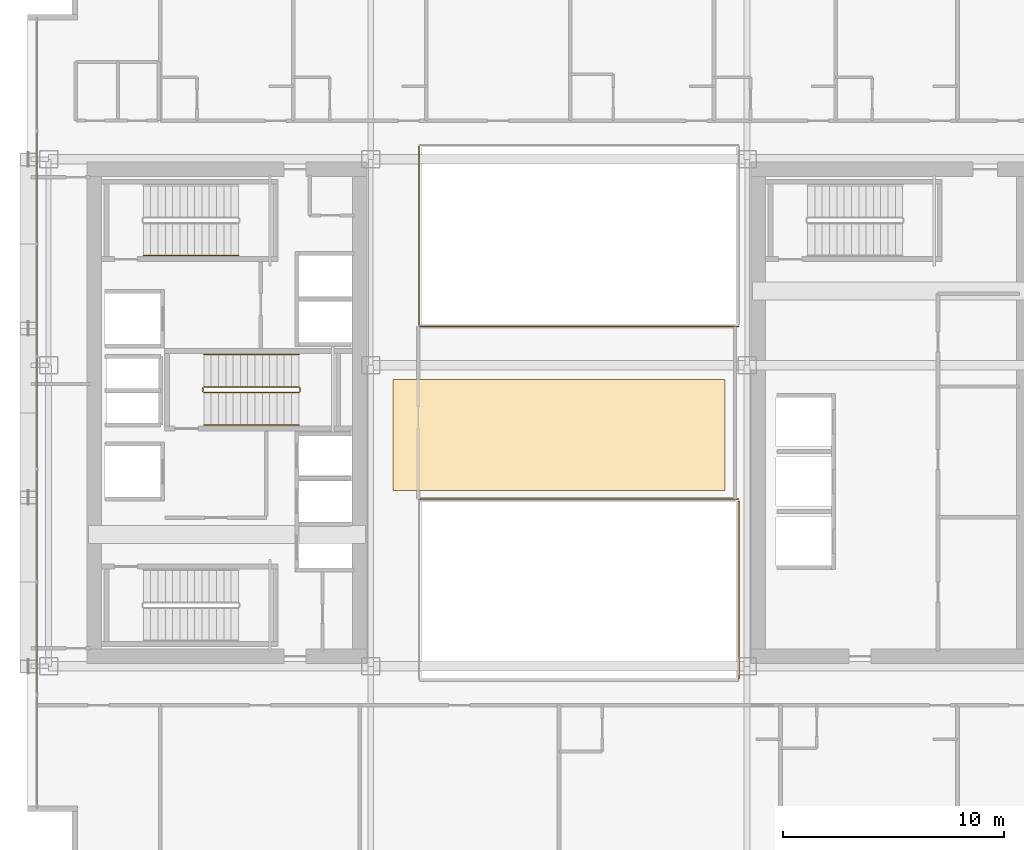
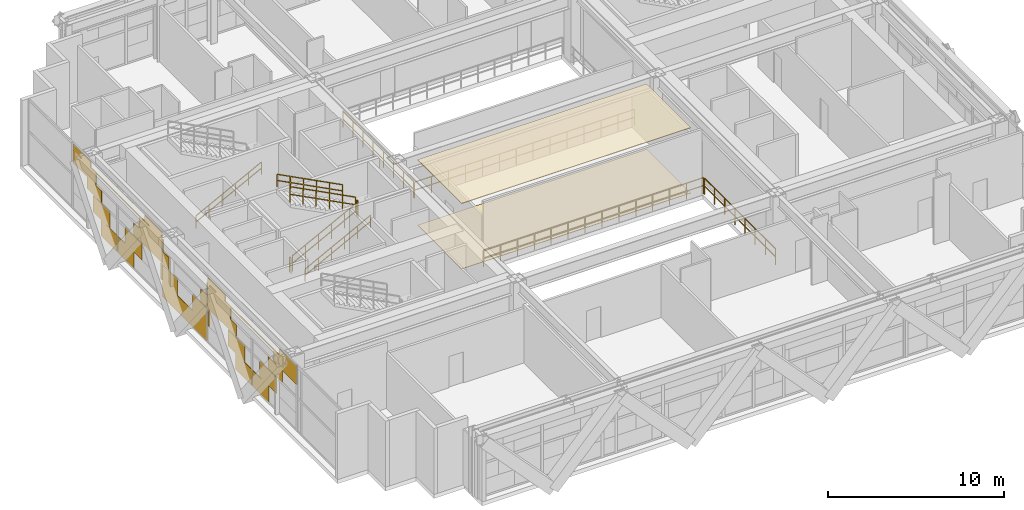
# One storey, part 36 of 38: 11 railings, 3 coverings.
"""IFC4 building model written with IfcOpenShell, lengths in metres."""

from ifc_helpers import new_model, si_unit, direction, frame, origin, origin_2d, place, context, subcontext, project, spatial, polyline, rectangle, outline, extrude, material, layer, layer_set, type_object, element, save


model = new_model("IFC4")

# Units and contexts
model_context = context("Model", 3, precision=1e-05, world=origin(), true_north=direction((0.0, 1.0)))
body_context = subcontext(model_context, "Body", "Model", "MODEL_VIEW")
ifc_project = project(units=[si_unit("LENGTHUNIT", "METRE"), si_unit("AREAUNIT", "SQUARE_METRE"), si_unit("VOLUMEUNIT", "CUBIC_METRE"), si_unit("PLANEANGLEUNIT", "RADIAN"), si_unit("MASSUNIT", "GRAM", prefix="KILO")], contexts=[model_context])

# Site, building, storey
site_placement = place(None, origin())
site = spatial("IfcSite", under=ifc_project, at=site_placement, CompositionType="ELEMENT")
building_placement = place(site_placement, origin())
building = spatial("IfcBuilding", under=site, at=building_placement, Name="Ocotamira Hotel", CompositionType="ELEMENT")
storey_placement = place(building_placement, frame((0.0, 0.0, 92.39990234375)))
storey = spatial("IfcBuildingStorey", under=building, at=storey_placement, Name="L22", CompositionType="ELEMENT", Elevation=92.39990234375)

# Coverings
ifc_material_1 = material(Name="Baffled acoustic wood-slat and gypsum ceiling", Category="wood")
ifc_layer_1 = layer(ifc_material_1, 0.0400390625)
ifc_layer_set_1 = layer_set([ifc_layer_1], Name="Baffled acoustic wood-slat and gypsum ceiling")
covering_type_1 = type_object("IfcCoveringType", Name="COV-CEIL-40", PredefinedType="CEILING", material=ifc_layer_set_1)
covering_1_placement = place(storey_placement, frame((0.0, 0.0, 4.52001953125)))
element("IfcCovering", 1, at=covering_1_placement, inside=storey, type_object=covering_type_1, Name="L22 Acoustic Ceiling", PredefinedType="CEILING", context=body_context, shape_type="SweptSolid", body=[
    extrude(outline(polyline([(24.5, 22.5), (39.5, 22.5), (39.5, 27.5), (24.5, 27.5), (24.5, 22.5)])), origin(), (0.0, 0.0, 1.0), 0.0400390625),
])
ifc_material_2 = material(Name="Honed desert travertine stone flooring", Category="masonry")
ifc_layer_2 = layer(ifc_material_2, 0.030029296875)
ifc_layer_set_2 = layer_set([ifc_layer_2], Name="Honed desert travertine stone flooring")
covering_type_2 = type_object("IfcCoveringType", Name="COV-FLOR-30", PredefinedType="FLOORING", material=ifc_layer_set_2)
covering_2_placement = place(storey_placement, origin())
element("IfcCovering", 2, at=covering_2_placement, inside=storey, type_object=covering_type_2, Name="L22 Honed Stone Floor Finish", PredefinedType="FLOORING", context=body_context, shape_type="SweptSolid", body=[
    extrude(outline(polyline([(24.5, 22.5), (39.5, 22.5), (39.5, 27.5), (24.5, 27.5), (24.5, 22.5)])), origin(), (0.0, 0.0, 1.0), 0.030029296875),
])
ifc_material_3 = material(Name="Insulated pale-metal aluminium spandrel panel", Category="aluminium")
ifc_layer_3 = layer(ifc_material_3, 0.044921875)
ifc_layer_set_3 = layer_set([ifc_layer_3], Name="Insulated pale-metal aluminium spandrel panel")
covering_type_3 = type_object("IfcCoveringType", Name="COV-INFILL-45", PredefinedType="CLADDING", material=ifc_layer_set_3)
covering_3_placement = place(storey_placement, origin())
element("IfcCovering", 3, at=covering_3_placement, inside=storey, type_object=covering_type_3, Name="L22 Curtain Wall Infill CW-5 CW-L22-W", PredefinedType="CLADDING", context=body_context, shape_type="SweptSolid", body=[
    extrude(rectangle(XDim=1.89990234375, YDim=0.044921875, at=origin_2d()), frame((8.419921875, 16.566162109375, 1.1943359375), z_axis=(0.0, 0.0, 1.0), x_axis=(0.0, 1.0, 0.0)), (0.0, 0.0, 1.0), 1.117919921875),
    extrude(rectangle(XDim=1.83251953125, YDim=0.044921875, at=origin_2d()), frame((8.419921875, 17.414794921875, 0.07568359375), z_axis=(0.0, 0.0, 1.0), x_axis=(0.0, 1.0, 0.0)), (0.0, 0.0, 1.0), 1.117919921875),
    extrude(rectangle(XDim=2.6123046875, YDim=0.044921875, at=origin_2d()), frame((8.419921875, 14.63232421875, 3.1953125), z_axis=(0.0, 0.0, 1.0), x_axis=(0.0, 1.0, 0.0)), (0.0, 0.0, 1.0), 0.80615234375),
    extrude(rectangle(XDim=5.004638671875, YDim=0.044921875, at=origin_2d()), frame((8.419921875, 15.82861328125, 4.00244140625), z_axis=(0.0, 0.0, 1.0), x_axis=(0.0, 1.0, 0.0)), (0.0, 0.0, 1.0), 0.0791015625),
    extrude(rectangle(XDim=1.99169921875, YDim=0.044921875, at=origin_2d()), frame((8.419921875, 14.322021484375, 4.08251953125), z_axis=(0.0, 0.0, 1.0), x_axis=(0.0, 1.0, 0.0)), (0.0, 0.0, 1.0), 0.402099609375),
    extrude(rectangle(XDim=1.654296875, YDim=0.044921875, at=origin_2d()), frame((8.419921875, 15.747802734375, 2.38818359375), z_axis=(0.0, 0.0, 1.0), x_axis=(0.0, 1.0, 0.0)), (0.0, 0.0, 1.0), 0.80615234375),
    extrude(rectangle(XDim=1.822998046875, YDim=0.044921875, at=origin_2d()), frame((8.419921875, 19.323486328125, 0.07568359375), z_axis=(0.0, 0.0, 1.0), x_axis=(0.0, 1.0, 0.0)), (0.0, 0.0, 1.0), 1.117919921875),
    extrude(rectangle(XDim=1.89990234375, YDim=0.044921875, at=origin_2d()), frame((8.419921875, 20.1669921875, 1.1943359375), z_axis=(0.0, 0.0, 1.0), x_axis=(0.0, 1.0, 0.0)), (0.0, 0.0, 1.0), 1.117919921875),
    extrude(rectangle(XDim=0.1669921875, YDim=0.044921875, at=origin_2d()), frame((8.419921875, 23.3330078125, 1.1943359375), z_axis=(0.0, 0.0, 1.0), x_axis=(0.0, 1.0, 0.0)), (0.0, 0.0, 1.0), 1.117919921875),
    extrude(rectangle(XDim=5.004638671875, YDim=0.044921875, at=origin_2d()), frame((8.419921875, 20.914306640625, 4.00244140625), z_axis=(0.0, 0.0, 1.0), x_axis=(0.0, 1.0, 0.0)), (0.0, 0.0, 1.0), 0.0791015625),
    extrude(rectangle(XDim=3.25830078125, YDim=0.044921875, at=origin_2d()), frame((8.419921875, 21.78759765625, 2.38818359375), z_axis=(0.0, 0.0, 1.0), x_axis=(0.0, 1.0, 0.0)), (0.0, 0.0, 1.0), 0.80615234375),
    extrude(rectangle(XDim=2.621826171875, YDim=0.044921875, at=origin_2d()), frame((8.419921875, 22.105712890625, 3.1953125), z_axis=(0.0, 0.0, 1.0), x_axis=(0.0, 1.0, 0.0)), (0.0, 0.0, 1.0), 0.80615234375),
    extrude(rectangle(XDim=2.001220703125, YDim=0.044921875, at=origin_2d()), frame((8.419921875, 22.416015625, 4.08251953125), z_axis=(0.0, 0.0, 1.0), x_axis=(0.0, 1.0, 0.0)), (0.0, 0.0, 1.0), 0.402099609375),
    extrude(rectangle(XDim=5.004638671875, YDim=0.044921875, at=origin_2d()), frame((8.419921875, 26.0, 0.07568359375), z_axis=(0.0, 0.0, 1.0), x_axis=(0.0, 1.0, 0.0)), (0.0, 0.0, 1.0), 1.117919921875),
    extrude(rectangle(XDim=1.652099609375, YDim=0.044921875, at=origin_2d()), frame((8.419921875, 24.323486328125, 1.1943359375), z_axis=(0.0, 0.0, 1.0), x_axis=(0.0, 1.0, 0.0)), (0.0, 0.0, 1.0), 1.117919921875),
    extrude(rectangle(XDim=1.652099609375, YDim=0.044921875, at=origin_2d()), frame((8.419921875, 27.676513671875, 1.1943359375), z_axis=(0.0, 0.0, 1.0), x_axis=(0.0, 1.0, 0.0)), (0.0, 0.0, 1.0), 1.117919921875),
    extrude(rectangle(XDim=0.710693359375, YDim=0.044921875, at=origin_2d()), frame((8.419921875, 23.852783203125, 2.38818359375), z_axis=(0.0, 0.0, 1.0), x_axis=(0.0, 1.0, 0.0)), (0.0, 0.0, 1.0), 0.84619140625),
    extrude(rectangle(XDim=0.04248046875, YDim=0.044921875, at=origin_2d()), frame((8.419921875, 23.518798828125, 3.2353515625), z_axis=(0.0, 0.0, 1.0), x_axis=(0.0, 1.0, 0.0)), (0.0, 0.0, 1.0), 0.84619140625),
    extrude(rectangle(XDim=0.710693359375, YDim=0.044921875, at=origin_2d()), frame((8.419921875, 28.147216796875, 2.38818359375), z_axis=(0.0, 0.0, 1.0), x_axis=(0.0, 1.0, 0.0)), (0.0, 0.0, 1.0), 0.84619140625),
    extrude(rectangle(XDim=0.04248046875, YDim=0.044921875, at=origin_2d()), frame((8.419921875, 28.481201171875, 3.2353515625), z_axis=(0.0, 0.0, 1.0), x_axis=(0.0, 1.0, 0.0)), (0.0, 0.0, 1.0), 0.84619140625),
    extrude(rectangle(XDim=0.1669921875, YDim=0.044921875, at=origin_2d()), frame((8.419921875, 28.6669921875, 1.1943359375), z_axis=(0.0, 0.0, 1.0), x_axis=(0.0, 1.0, 0.0)), (0.0, 0.0, 1.0), 1.117919921875),
    extrude(rectangle(XDim=1.89990234375, YDim=0.044921875, at=origin_2d()), frame((8.419921875, 31.8330078125, 1.1943359375), z_axis=(0.0, 0.0, 1.0), x_axis=(0.0, 1.0, 0.0)), (0.0, 0.0, 1.0), 1.117919921875),
    extrude(rectangle(XDim=1.822998046875, YDim=0.044921875, at=origin_2d()), frame((8.419921875, 32.676513671875, 0.07568359375), z_axis=(0.0, 0.0, 1.0), x_axis=(0.0, 1.0, 0.0)), (0.0, 0.0, 1.0), 1.117919921875),
    extrude(rectangle(XDim=3.25830078125, YDim=0.044921875, at=origin_2d()), frame((8.419921875, 30.21240234375, 2.38818359375), z_axis=(0.0, 0.0, 1.0), x_axis=(0.0, 1.0, 0.0)), (0.0, 0.0, 1.0), 0.80615234375),
    extrude(rectangle(XDim=2.621826171875, YDim=0.044921875, at=origin_2d()), frame((8.419921875, 29.894287109375, 3.1953125), z_axis=(0.0, 0.0, 1.0), x_axis=(0.0, 1.0, 0.0)), (0.0, 0.0, 1.0), 0.80615234375),
    extrude(rectangle(XDim=5.004638671875, YDim=0.044921875, at=origin_2d()), frame((8.419921875, 31.085693359375, 4.00244140625), z_axis=(0.0, 0.0, 1.0), x_axis=(0.0, 1.0, 0.0)), (0.0, 0.0, 1.0), 0.0791015625),
    extrude(rectangle(XDim=2.001220703125, YDim=0.044921875, at=origin_2d()), frame((8.419921875, 29.583984375, 4.08251953125), z_axis=(0.0, 0.0, 1.0), x_axis=(0.0, 1.0, 0.0)), (0.0, 0.0, 1.0), 0.402099609375),
    extrude(rectangle(XDim=1.83251953125, YDim=0.044921875, at=origin_2d()), frame((8.419921875, 34.585205078125, 0.07568359375), z_axis=(0.0, 0.0, 1.0), x_axis=(0.0, 1.0, 0.0)), (0.0, 0.0, 1.0), 1.117919921875),
    extrude(rectangle(XDim=1.89990234375, YDim=0.044921875, at=origin_2d()), frame((8.419921875, 35.433837890625, 1.1943359375), z_axis=(0.0, 0.0, 1.0), x_axis=(0.0, 1.0, 0.0)), (0.0, 0.0, 1.0), 1.117919921875),
    extrude(rectangle(XDim=5.004638671875, YDim=0.044921875, at=origin_2d()), frame((8.419921875, 36.17138671875, 4.00244140625), z_axis=(0.0, 0.0, 1.0), x_axis=(0.0, 1.0, 0.0)), (0.0, 0.0, 1.0), 0.0791015625),
    extrude(rectangle(XDim=1.654296875, YDim=0.044921875, at=origin_2d()), frame((8.419921875, 36.252197265625, 2.38818359375), z_axis=(0.0, 0.0, 1.0), x_axis=(0.0, 1.0, 0.0)), (0.0, 0.0, 1.0), 0.80615234375),
    extrude(rectangle(XDim=2.6123046875, YDim=0.044921875, at=origin_2d()), frame((8.419921875, 37.36767578125, 3.1953125), z_axis=(0.0, 0.0, 1.0), x_axis=(0.0, 1.0, 0.0)), (0.0, 0.0, 1.0), 0.80615234375),
    extrude(rectangle(XDim=1.99169921875, YDim=0.044921875, at=origin_2d()), frame((8.419921875, 37.677978515625, 4.08251953125), z_axis=(0.0, 0.0, 1.0), x_axis=(0.0, 1.0, 0.0)), (0.0, 0.0, 1.0), 0.402099609375),
])

# Railings
ifc_material_4 = material(Name="Painted steel stair guardrail", Category="steel")
railing_type_1 = type_object("IfcRailingType", Name="RL-EDGE-1150", PredefinedType="GUARDRAIL", material=ifc_material_4)
railing_1_placement = place(storey_placement, frame((40.1201171875, 13.97998046875, 0.0)))
element("IfcRailing", 4, at=railing_1_placement, inside=storey, type_object=railing_type_1, Name="L22 Atrium Bridge Lightwell Guard S E", PredefinedType="GUARDRAIL", context=body_context, shape_type="SweptSolid", body=[
    extrude(rectangle(XDim=0.048095703125, YDim=0.048095703125, at=origin_2d()), frame((0.0, 0.0, 1.1259765625), z_axis=(0.0, 1.0, 0.0), x_axis=(-1.0, 0.0, 0.0)), (0.0, 0.0, 1.0), 8.0400390625),
    extrude(rectangle(XDim=0.048095703125, YDim=0.048095703125, at=origin_2d()), frame((0.0, 0.0, 0.574951171875), z_axis=(0.0, 1.0, 0.0), x_axis=(-1.0, 0.0, 0.0)), (0.0, 0.0, 1.0), 8.0400390625),
    extrude(rectangle(XDim=0.0419921875, YDim=0.0419921875, at=origin_2d()), origin(), (0.0, 0.0, 1.0), 1.101806640625),
    extrude(rectangle(XDim=0.0419921875, YDim=0.0419921875, at=origin_2d()), frame((0.0, 1.148681640625, 0.0)), (0.0, 0.0, 1.0), 1.101806640625),
    extrude(rectangle(XDim=0.0419921875, YDim=0.0419921875, at=origin_2d()), frame((0.0, 2.297119140625, 0.0)), (0.0, 0.0, 1.0), 1.101806640625),
    extrude(rectangle(XDim=0.0419921875, YDim=0.0419921875, at=origin_2d()), frame((0.0, 3.44580078125, 0.0)), (0.0, 0.0, 1.0), 1.101806640625),
    extrude(rectangle(XDim=0.0419921875, YDim=0.0419921875, at=origin_2d()), frame((0.0, 4.59423828125, 0.0)), (0.0, 0.0, 1.0), 1.101806640625),
    extrude(rectangle(XDim=0.0419921875, YDim=0.0419921875, at=origin_2d()), frame((0.0, 5.742919921875, 0.0)), (0.0, 0.0, 1.0), 1.101806640625),
    extrude(rectangle(XDim=0.0419921875, YDim=0.0419921875, at=origin_2d()), frame((0.0, 6.891357421875, 0.0)), (0.0, 0.0, 1.0), 1.101806640625),
    extrude(rectangle(XDim=0.0419921875, YDim=0.0419921875, at=origin_2d()), frame((0.0, 8.0400390625, 0.0)), (0.0, 0.0, 1.0), 1.101806640625),
])
railing_2_placement = place(storey_placement, frame((40.10009765625, 22.10009765625, 0.0)))
element("IfcRailing", 5, at=railing_2_placement, inside=storey, type_object=railing_type_1, Name="L22 Atrium Bridge Lightwell Guard S N", PredefinedType="GUARDRAIL", context=body_context, shape_type="SweptSolid", body=[
    extrude(rectangle(XDim=0.048095703125, YDim=0.048095703125, at=origin_2d()), frame((0.0, 0.0, 1.1259765625), z_axis=(-1.0, 0.0, 0.0), x_axis=(0.0, -1.0, 0.0)), (0.0, 0.0, 1.0), 14.400146484375),
    extrude(rectangle(XDim=0.048095703125, YDim=0.048095703125, at=origin_2d()), frame((0.0, 0.0, 0.574951171875), z_axis=(-1.0, 0.0, 0.0), x_axis=(0.0, -1.0, 0.0)), (0.0, 0.0, 1.0), 14.400146484375),
    extrude(rectangle(XDim=0.0419921875, YDim=0.0419921875, at=origin_2d()), origin(), (0.0, 0.0, 1.0), 1.101806640625),
    extrude(rectangle(XDim=0.0419921875, YDim=0.0419921875, at=origin_2d()), frame((-1.107666015625, 0.0, 0.0)), (0.0, 0.0, 1.0), 1.101806640625),
    extrude(rectangle(XDim=0.0419921875, YDim=0.0419921875, at=origin_2d()), frame((-2.21533203125, 0.0, 0.0)), (0.0, 0.0, 1.0), 1.101806640625),
    extrude(rectangle(XDim=0.0419921875, YDim=0.0419921875, at=origin_2d()), frame((-3.322998046875, 0.0, 0.0)), (0.0, 0.0, 1.0), 1.101806640625),
    extrude(rectangle(XDim=0.0419921875, YDim=0.0419921875, at=origin_2d()), frame((-4.430908203125, 0.0, 0.0)), (0.0, 0.0, 1.0), 1.101806640625),
    extrude(rectangle(XDim=0.0419921875, YDim=0.0419921875, at=origin_2d()), frame((-5.53857421875, 0.0, 0.0)), (0.0, 0.0, 1.0), 1.101806640625),
    extrude(rectangle(XDim=0.0419921875, YDim=0.0419921875, at=origin_2d()), frame((-6.646240234375, 0.0, 0.0)), (0.0, 0.0, 1.0), 1.101806640625),
    extrude(rectangle(XDim=0.0419921875, YDim=0.0419921875, at=origin_2d()), frame((-7.75390625, 0.0, 0.0)), (0.0, 0.0, 1.0), 1.101806640625),
    extrude(rectangle(XDim=0.0419921875, YDim=0.0419921875, at=origin_2d()), frame((-8.861572265625, 0.0, 0.0)), (0.0, 0.0, 1.0), 1.101806640625),
    extrude(rectangle(XDim=0.0419921875, YDim=0.0419921875, at=origin_2d()), frame((-9.96923828125, 0.0, 0.0)), (0.0, 0.0, 1.0), 1.101806640625),
    extrude(rectangle(XDim=0.0419921875, YDim=0.0419921875, at=origin_2d()), frame((-11.0771484375, 0.0, 0.0)), (0.0, 0.0, 1.0), 1.101806640625),
    extrude(rectangle(XDim=0.0419921875, YDim=0.0419921875, at=origin_2d()), frame((-12.184814453125, 0.0, 0.0)), (0.0, 0.0, 1.0), 1.101806640625),
    extrude(rectangle(XDim=0.0419921875, YDim=0.0419921875, at=origin_2d()), frame((-13.29248046875, 0.0, 0.0)), (0.0, 0.0, 1.0), 1.101806640625),
    extrude(rectangle(XDim=0.0419921875, YDim=0.0419921875, at=origin_2d()), frame((-14.400146484375, 0.0, 0.0)), (0.0, 0.0, 1.0), 1.101806640625),
])
railing_3_placement = place(storey_placement, frame((25.699951171875, 29.89990234375, 0.0)))
element("IfcRailing", 6, at=railing_3_placement, inside=storey, type_object=railing_type_1, Name="L22 Atrium Bridge Lightwell Guard N S", PredefinedType="GUARDRAIL", context=body_context, shape_type="SweptSolid", body=[
    extrude(rectangle(XDim=0.048095703125, YDim=0.048095703125, at=origin_2d()), frame((0.0, 0.0, 1.1259765625), z_axis=(1.0, 0.0, 0.0), x_axis=(0.0, 1.0, 0.0)), (0.0, 0.0, 1.0), 14.400146484375),
    extrude(rectangle(XDim=0.048095703125, YDim=0.048095703125, at=origin_2d()), frame((0.0, 0.0, 0.574951171875), z_axis=(1.0, 0.0, 0.0), x_axis=(0.0, 1.0, 0.0)), (0.0, 0.0, 1.0), 14.400146484375),
    extrude(rectangle(XDim=0.0419921875, YDim=0.0419921875, at=origin_2d()), origin(), (0.0, 0.0, 1.0), 1.101806640625),
    extrude(rectangle(XDim=0.0419921875, YDim=0.0419921875, at=origin_2d()), frame((1.107666015625, 0.0, 0.0)), (0.0, 0.0, 1.0), 1.101806640625),
    extrude(rectangle(XDim=0.0419921875, YDim=0.0419921875, at=origin_2d()), frame((2.21533203125, 0.0, 0.0)), (0.0, 0.0, 1.0), 1.101806640625),
    extrude(rectangle(XDim=0.0419921875, YDim=0.0419921875, at=origin_2d()), frame((3.322998046875, 0.0, 0.0)), (0.0, 0.0, 1.0), 1.101806640625),
    extrude(rectangle(XDim=0.0419921875, YDim=0.0419921875, at=origin_2d()), frame((4.430908203125, 0.0, 0.0)), (0.0, 0.0, 1.0), 1.101806640625),
    extrude(rectangle(XDim=0.0419921875, YDim=0.0419921875, at=origin_2d()), frame((5.53857421875, 0.0, 0.0)), (0.0, 0.0, 1.0), 1.101806640625),
    extrude(rectangle(XDim=0.0419921875, YDim=0.0419921875, at=origin_2d()), frame((6.646240234375, 0.0, 0.0)), (0.0, 0.0, 1.0), 1.101806640625),
    extrude(rectangle(XDim=0.0419921875, YDim=0.0419921875, at=origin_2d()), frame((7.75390625, 0.0, 0.0)), (0.0, 0.0, 1.0), 1.101806640625),
    extrude(rectangle(XDim=0.0419921875, YDim=0.0419921875, at=origin_2d()), frame((8.861572265625, 0.0, 0.0)), (0.0, 0.0, 1.0), 1.101806640625),
    extrude(rectangle(XDim=0.0419921875, YDim=0.0419921875, at=origin_2d()), frame((9.96923828125, 0.0, 0.0)), (0.0, 0.0, 1.0), 1.101806640625),
    extrude(rectangle(XDim=0.0419921875, YDim=0.0419921875, at=origin_2d()), frame((11.0771484375, 0.0, 0.0)), (0.0, 0.0, 1.0), 1.101806640625),
    extrude(rectangle(XDim=0.0419921875, YDim=0.0419921875, at=origin_2d()), frame((12.184814453125, 0.0, 0.0)), (0.0, 0.0, 1.0), 1.101806640625),
    extrude(rectangle(XDim=0.0419921875, YDim=0.0419921875, at=origin_2d()), frame((13.29248046875, 0.0, 0.0)), (0.0, 0.0, 1.0), 1.101806640625),
    extrude(rectangle(XDim=0.0419921875, YDim=0.0419921875, at=origin_2d()), frame((14.400146484375, 0.0, 0.0)), (0.0, 0.0, 1.0), 1.101806640625),
])
railing_4_placement = place(storey_placement, frame((25.679931640625, 38.02001953125, 0.0)))
element("IfcRailing", 7, at=railing_4_placement, inside=storey, type_object=railing_type_1, Name="L22 Atrium Bridge Lightwell Guard N W", PredefinedType="GUARDRAIL", context=body_context, shape_type="SweptSolid", body=[
    extrude(rectangle(XDim=0.048095703125, YDim=0.048095703125, at=origin_2d()), frame((0.0, 0.0, 1.1259765625), z_axis=(0.0, -1.0, 0.0), x_axis=(1.0, 0.0, 0.0)), (0.0, 0.0, 1.0), 8.0400390625),
    extrude(rectangle(XDim=0.048095703125, YDim=0.048095703125, at=origin_2d()), frame((0.0, 0.0, 0.574951171875), z_axis=(0.0, -1.0, 0.0), x_axis=(1.0, 0.0, 0.0)), (0.0, 0.0, 1.0), 8.0400390625),
    extrude(rectangle(XDim=0.0419921875, YDim=0.0419921875, at=origin_2d()), origin(), (0.0, 0.0, 1.0), 1.101806640625),
    extrude(rectangle(XDim=0.0419921875, YDim=0.0419921875, at=origin_2d()), frame((0.0, -1.148681640625, 0.0)), (0.0, 0.0, 1.0), 1.101806640625),
    extrude(rectangle(XDim=0.0419921875, YDim=0.0419921875, at=origin_2d()), frame((0.0, -2.297119140625, 0.0)), (0.0, 0.0, 1.0), 1.101806640625),
    extrude(rectangle(XDim=0.0419921875, YDim=0.0419921875, at=origin_2d()), frame((0.0, -3.44580078125, 0.0)), (0.0, 0.0, 1.0), 1.101806640625),
    extrude(rectangle(XDim=0.0419921875, YDim=0.0419921875, at=origin_2d()), frame((0.0, -4.59423828125, 0.0)), (0.0, 0.0, 1.0), 1.101806640625),
    extrude(rectangle(XDim=0.0419921875, YDim=0.0419921875, at=origin_2d()), frame((0.0, -5.742919921875, 0.0)), (0.0, 0.0, 1.0), 1.101806640625),
    extrude(rectangle(XDim=0.0419921875, YDim=0.0419921875, at=origin_2d()), frame((0.0, -6.891357421875, 0.0)), (0.0, 0.0, 1.0), 1.101806640625),
    extrude(rectangle(XDim=0.0419921875, YDim=0.0419921875, at=origin_2d()), frame((0.0, -8.0400390625, 0.0)), (0.0, 0.0, 1.0), 1.101806640625),
])
ifc_material_5 = material(Name="Brushed stainless steel handrail", Category="steel")
railing_type_2 = type_object("IfcRailingType", Name="RL-HAND-900", PredefinedType="HANDRAIL", material=ifc_material_5)
for number, where, name in (
    (8, (13.22998046875, 33.10009765625, 0.343017578125), "L22 ST-2 stair handrail 1"),
    (9, (15.9599609375, 25.449951171875, 0.343017578125), "L22 ST-3 stair handrail 1"),
):
    element("IfcRailing", number, at=place(storey_placement, frame(where)), inside=storey, type_object=railing_type_2, Name=name, PredefinedType="HANDRAIL", context=body_context, shape_type="SweptSolid", body=[
        extrude(rectangle(XDim=0.048095703125, YDim=0.048095703125, at=origin_2d()), frame((0.0, 0.0, 0.8759765625), z_axis=(0.887411858541, 0.0, 0.46097743255), x_axis=(0.0, 1.0, 0.0)), (0.0, 0.0, 1.0), 4.834228515625),
        extrude(rectangle(XDim=0.048095703125, YDim=0.048095703125, at=origin_2d()), frame((0.0, 0.0, 0.449951171875), z_axis=(0.887411858541, 0.0, 0.46097743255), x_axis=(0.0, 1.0, 0.0)), (0.0, 0.0, 1.0), 4.834228515625),
        extrude(rectangle(XDim=0.0419921875, YDim=0.0419921875, at=origin_2d()), origin(), (0.0, 0.0, 1.0), 0.851806640625),
        extrude(rectangle(XDim=0.0419921875, YDim=0.0419921875, at=origin_2d()), frame((0.85791015625, 0.0, 0.44580078125)), (0.0, 0.0, 1.0), 0.851806640625),
        extrude(rectangle(XDim=0.0419921875, YDim=0.0419921875, at=origin_2d()), frame((1.716064453125, 0.0, 0.891357421875)), (0.0, 0.0, 1.0), 0.851806640625),
        extrude(rectangle(XDim=0.0419921875, YDim=0.0419921875, at=origin_2d()), frame((2.573974609375, 0.0, 1.337158203125)), (0.0, 0.0, 1.0), 0.851806640625),
        extrude(rectangle(XDim=0.0419921875, YDim=0.0419921875, at=origin_2d()), frame((3.43212890625, 0.0, 1.78271484375)), (0.0, 0.0, 1.0), 0.851806640625),
        extrude(rectangle(XDim=0.0419921875, YDim=0.0419921875, at=origin_2d()), frame((4.2900390625, 0.0, 2.228515625)), (0.0, 0.0, 1.0), 0.851806640625),
    ])
railing_5_placement = place(storey_placement, frame((20.25, 28.6298828125, 2.742919921875)))
element("IfcRailing", 10, at=railing_5_placement, inside=storey, type_object=railing_type_2, Name="L22 ST-3 stair handrail 2", PredefinedType="HANDRAIL", context=body_context, shape_type="SweptSolid", body=[
    extrude(rectangle(XDim=0.048095703125, YDim=0.048095703125, at=origin_2d()), frame((0.0, 0.0, 0.8759765625), z_axis=(-0.887411858541, 0.0, 0.46097743255), x_axis=(0.0, -1.0, 0.0)), (0.0, 0.0, 1.0), 4.834228515625),
    extrude(rectangle(XDim=0.048095703125, YDim=0.048095703125, at=origin_2d()), frame((0.0, 0.0, 0.449951171875), z_axis=(-0.887411858541, 0.0, 0.46097743255), x_axis=(0.0, -1.0, 0.0)), (0.0, 0.0, 1.0), 4.834228515625),
    extrude(rectangle(XDim=0.0419921875, YDim=0.0419921875, at=origin_2d()), origin(), (0.0, 0.0, 1.0), 0.851806640625),
    extrude(rectangle(XDim=0.0419921875, YDim=0.0419921875, at=origin_2d()), frame((-0.85791015625, 0.0, 0.44580078125)), (0.0, 0.0, 1.0), 0.851806640625),
    extrude(rectangle(XDim=0.0419921875, YDim=0.0419921875, at=origin_2d()), frame((-1.716064453125, 0.0, 0.891357421875)), (0.0, 0.0, 1.0), 0.851806640625),
    extrude(rectangle(XDim=0.0419921875, YDim=0.0419921875, at=origin_2d()), frame((-2.573974609375, 0.0, 1.337158203125)), (0.0, 0.0, 1.0), 0.851806640625),
    extrude(rectangle(XDim=0.0419921875, YDim=0.0419921875, at=origin_2d()), frame((-3.43212890625, 0.0, 1.78271484375)), (0.0, 0.0, 1.0), 0.851806640625),
    extrude(rectangle(XDim=0.0419921875, YDim=0.0419921875, at=origin_2d()), frame((-4.2900390625, 0.0, 2.228515625)), (0.0, 0.0, 1.0), 0.851806640625),
])
railing_type_3 = type_object("IfcRailingType", Name="RL-STAIR-1100", PredefinedType="GUARDRAIL", material=ifc_material_4)
railing_6_placement = place(storey_placement, frame((15.9599609375, 26.909912109375, 0.171630859375)))
element("IfcRailing", 11, at=railing_6_placement, inside=storey, type_object=railing_type_3, Name="L22 ST-3 stair guard 1", PredefinedType="GUARDRAIL", context=body_context, shape_type="SweptSolid", body=[
    extrude(rectangle(XDim=0.048095703125, YDim=0.048095703125, at=origin_2d()), frame((0.0, 0.0, 1.076171875), z_axis=(0.887411858541, 0.0, 0.46097743255), x_axis=(0.0, 1.0, 0.0)), (0.0, 0.0, 1.0), 4.834228515625),
    extrude(rectangle(XDim=0.048095703125, YDim=0.048095703125, at=origin_2d()), frame((0.0, 0.0, 0.550048828125), z_axis=(0.887411858541, 0.0, 0.46097743255), x_axis=(0.0, 1.0, 0.0)), (0.0, 0.0, 1.0), 4.834228515625),
    extrude(rectangle(XDim=0.0419921875, YDim=0.0419921875, at=origin_2d()), origin(), (0.0, 0.0, 1.0), 1.052001953125),
    extrude(rectangle(XDim=0.0419921875, YDim=0.0419921875, at=origin_2d()), frame((0.85791015625, 0.0, 0.44580078125)), (0.0, 0.0, 1.0), 1.052001953125),
    extrude(rectangle(XDim=0.0419921875, YDim=0.0419921875, at=origin_2d()), frame((1.716064453125, 0.0, 0.891357421875)), (0.0, 0.0, 1.0), 1.052001953125),
    extrude(rectangle(XDim=0.0419921875, YDim=0.0419921875, at=origin_2d()), frame((2.573974609375, 0.0, 1.337158203125)), (0.0, 0.0, 1.0), 1.052001953125),
    extrude(rectangle(XDim=0.0419921875, YDim=0.0419921875, at=origin_2d()), frame((3.43212890625, 0.0, 1.78271484375)), (0.0, 0.0, 1.0), 1.052001953125),
    extrude(rectangle(XDim=0.0419921875, YDim=0.0419921875, at=origin_2d()), frame((4.2900390625, 0.0, 2.228515625)), (0.0, 0.0, 1.0), 1.052001953125),
])
railing_7_placement = place(storey_placement, frame((20.300048828125, 26.9599609375, 2.400146484375)))
element("IfcRailing", 12, at=railing_7_placement, inside=storey, type_object=railing_type_3, Name="L22 ST-3 stair guard 2", PredefinedType="GUARDRAIL", context=body_context, shape_type="SweptSolid", body=[
    extrude(rectangle(XDim=0.048095703125, YDim=0.048095703125, at=origin_2d()), frame((0.0, 0.0, 1.076171875), z_axis=(0.0, 1.0, 0.0), x_axis=(-1.0, 0.0, 0.0)), (0.0, 0.0, 1.0), 0.16015625),
    extrude(rectangle(XDim=0.048095703125, YDim=0.048095703125, at=origin_2d()), frame((0.0, 0.0, 0.550048828125), z_axis=(0.0, 1.0, 0.0), x_axis=(-1.0, 0.0, 0.0)), (0.0, 0.0, 1.0), 0.16015625),
    extrude(rectangle(XDim=0.0419921875, YDim=0.0419921875, at=origin_2d()), origin(), (0.0, 0.0, 1.0), 1.052001953125),
    extrude(rectangle(XDim=0.0419921875, YDim=0.0419921875, at=origin_2d()), frame((0.0, 0.16015625, 0.0)), (0.0, 0.0, 1.0), 1.052001953125),
])
railing_8_placement = place(storey_placement, frame((20.25, 27.169921875, 2.571533203125)))
element("IfcRailing", 13, at=railing_8_placement, inside=storey, type_object=railing_type_3, Name="L22 ST-3 stair guard 3", PredefinedType="GUARDRAIL", context=body_context, shape_type="SweptSolid", body=[
    extrude(rectangle(XDim=0.048095703125, YDim=0.048095703125, at=origin_2d()), frame((0.0, 0.0, 1.076171875), z_axis=(-0.887411858541, 0.0, 0.46097743255), x_axis=(0.0, -1.0, 0.0)), (0.0, 0.0, 1.0), 4.834228515625),
    extrude(rectangle(XDim=0.048095703125, YDim=0.048095703125, at=origin_2d()), frame((0.0, 0.0, 0.550048828125), z_axis=(-0.887411858541, 0.0, 0.46097743255), x_axis=(0.0, -1.0, 0.0)), (0.0, 0.0, 1.0), 4.834228515625),
    extrude(rectangle(XDim=0.0419921875, YDim=0.0419921875, at=origin_2d()), origin(), (0.0, 0.0, 1.0), 1.052001953125),
    extrude(rectangle(XDim=0.0419921875, YDim=0.0419921875, at=origin_2d()), frame((-0.85791015625, 0.0, 0.44580078125)), (0.0, 0.0, 1.0), 1.052001953125),
    extrude(rectangle(XDim=0.0419921875, YDim=0.0419921875, at=origin_2d()), frame((-1.716064453125, 0.0, 0.891357421875)), (0.0, 0.0, 1.0), 1.052001953125),
    extrude(rectangle(XDim=0.0419921875, YDim=0.0419921875, at=origin_2d()), frame((-2.573974609375, 0.0, 1.337158203125)), (0.0, 0.0, 1.0), 1.052001953125),
    extrude(rectangle(XDim=0.0419921875, YDim=0.0419921875, at=origin_2d()), frame((-3.43212890625, 0.0, 1.78271484375)), (0.0, 0.0, 1.0), 1.052001953125),
    extrude(rectangle(XDim=0.0419921875, YDim=0.0419921875, at=origin_2d()), frame((-4.2900390625, 0.0, 2.228515625)), (0.0, 0.0, 1.0), 1.052001953125),
])
railing_9_placement = place(storey_placement, frame((15.909912109375, 26.9599609375, 0.0)))
element("IfcRailing", 14, at=railing_9_placement, inside=storey, type_object=railing_type_3, Name="L22 ST-3 stair guard 4", PredefinedType="GUARDRAIL", context=body_context, shape_type="SweptSolid", body=[
    extrude(rectangle(XDim=0.048095703125, YDim=0.048095703125, at=origin_2d()), frame((0.0, 0.0, 1.076171875), z_axis=(0.0, 1.0, 0.0), x_axis=(-1.0, 0.0, 0.0)), (0.0, 0.0, 1.0), 0.16015625),
    extrude(rectangle(XDim=0.048095703125, YDim=0.048095703125, at=origin_2d()), frame((0.0, 0.0, 0.550048828125), z_axis=(0.0, 1.0, 0.0), x_axis=(-1.0, 0.0, 0.0)), (0.0, 0.0, 1.0), 0.16015625),
    extrude(rectangle(XDim=0.0419921875, YDim=0.0419921875, at=origin_2d()), origin(), (0.0, 0.0, 1.0), 1.052001953125),
    extrude(rectangle(XDim=0.0419921875, YDim=0.0419921875, at=origin_2d()), frame((0.0, 0.16015625, 0.0)), (0.0, 0.0, 1.0), 1.052001953125),
])

save(model, "model.ifc")
